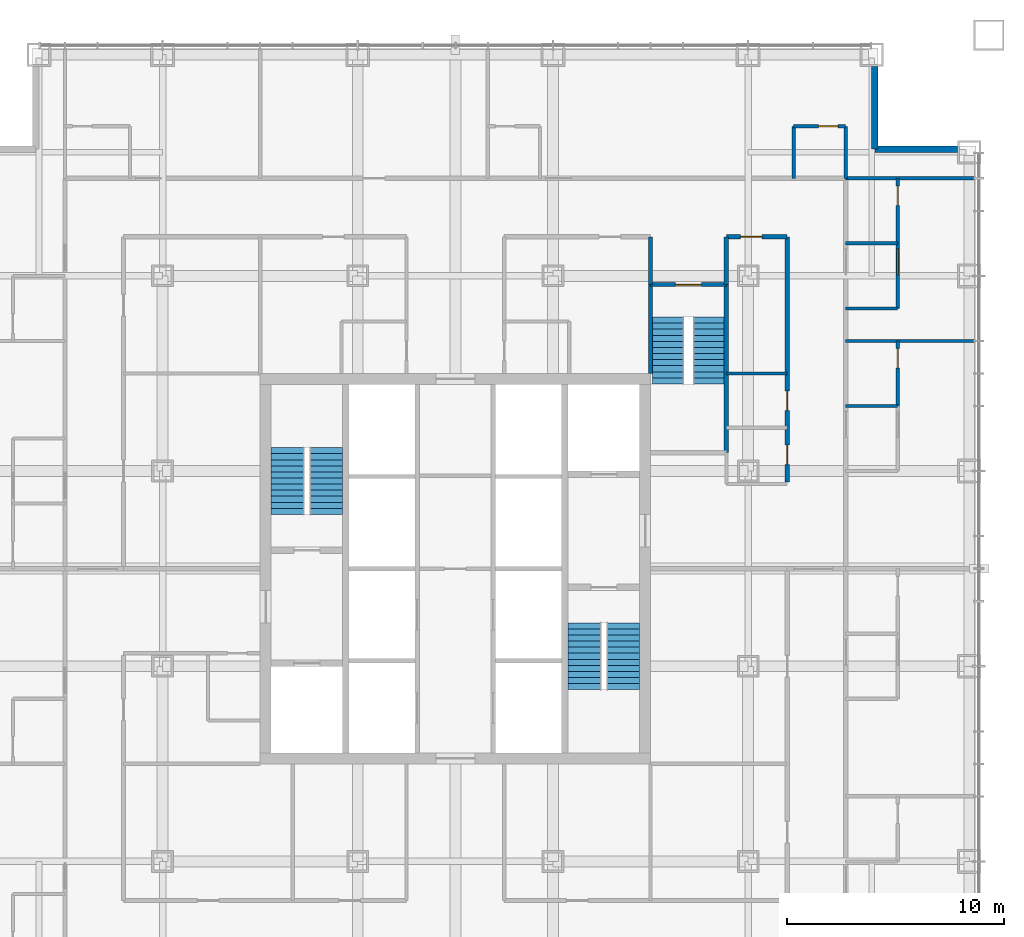
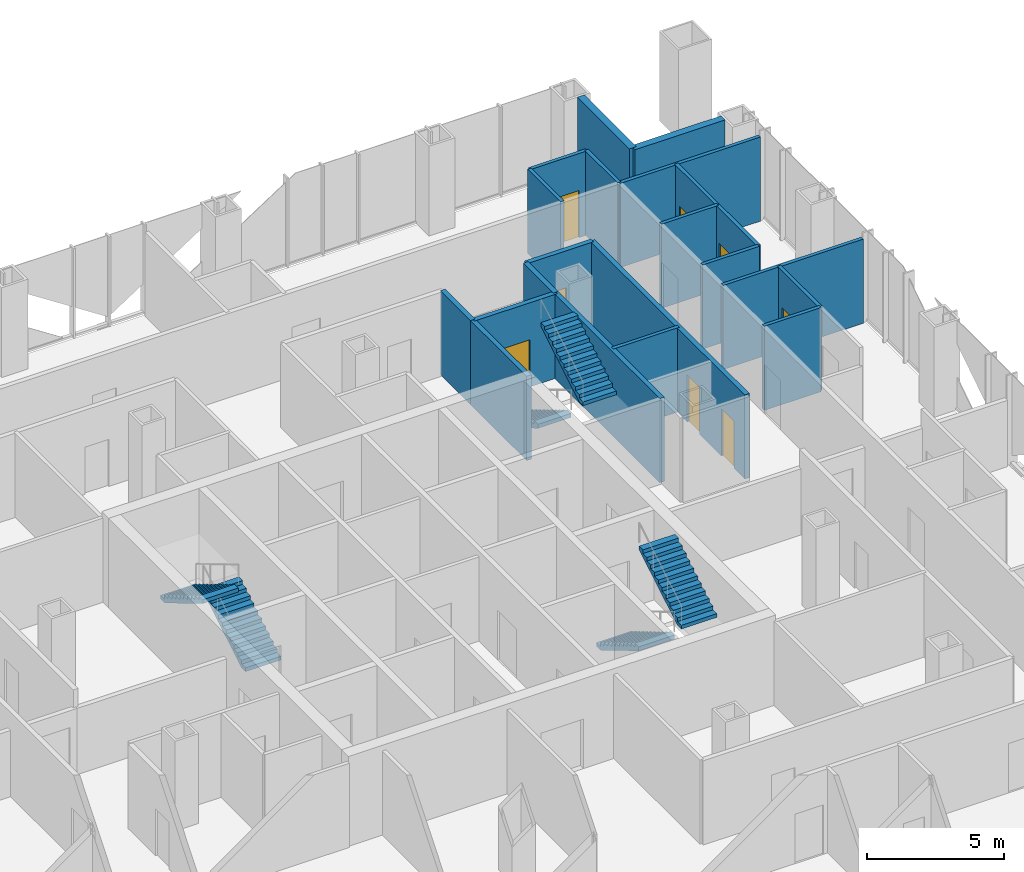
# One storey, part 12 of 13: 21 walls, 8 doors, 6 stair flights, 8 openings, 3 elements without a shape of their own.
"""IFC4 building model written with IfcOpenShell, lengths in metres."""

from ifc_helpers import new_model, si_unit, direction, frame, frame_2d, origin, place, context, subcontext, project, spatial, polyline, rectangle, outline, extrude, material, layer, layer_set, type_object, element, fill, aggregate, save


model = new_model("IFC4")

# Units and contexts
model_context = context("Model", 3, precision=1e-05, world=origin(), true_north=direction((0.0, 1.0)))
body_context = subcontext(model_context, "Body", "Model", "MODEL_VIEW")
ifc_project = project(units=[si_unit("LENGTHUNIT", "METRE"), si_unit("AREAUNIT", "SQUARE_METRE"), si_unit("VOLUMEUNIT", "CUBIC_METRE"), si_unit("PLANEANGLEUNIT", "RADIAN"), si_unit("MASSUNIT", "GRAM", prefix="KILO")], contexts=[model_context])

# Site, building, storey
site_placement = place(None, origin())
site = spatial("IfcSite", under=ifc_project, at=site_placement, CompositionType="ELEMENT")
building_placement = place(site_placement, origin())
building = spatial("IfcBuilding", under=site, at=building_placement, Name="Malebo Sky Hospital", CompositionType="ELEMENT")
storey_placement = place(building_placement, frame((0.0, 0.0, 156.0)))
storey = spatial("IfcBuildingStorey", under=building, at=storey_placement, Name="L37", CompositionType="ELEMENT", Elevation=156.0)

# Wall, opening, door
ifc_material_1 = material(Name="Gypsum board on steel studs", Category="steel")
ifc_layer_1 = layer(ifc_material_1, 0.199951171875)
ifc_layer_set_1 = layer_set([ifc_layer_1], Name="CORRIDOR WALL 200")
wall_type_1 = type_object("IfcWallType", Name="CORRIDOR WALL 200", PredefinedType="PARTITIONING", material=ifc_layer_set_1)
wall_1_placement = place(storey_placement, frame((72.5, 77.300048828125, 0.0), z_axis=(0.0, 0.0, 1.0), x_axis=(1.0, 0.0, 0.0)))
wall_1 = element("IfcWall", 1, at=wall_1_placement, inside=storey, type_object=wall_type_1, Name="Corridor Wall 200 NCI2/2", PredefinedType="PARTITIONING", context=body_context, shape_type="SweptSolid", body=[
    extrude(rectangle(XDim=2.800048828125, YDim=0.199951171875, at=frame_2d((1.39990234375, 0.0))), origin(), (0.0, 0.0, 1.0), 3.75),
])
opening_1_placement = place(wall_1_placement, frame((0.64990234375, 0.0, 0.0)))
opening_1 = element("IfcOpeningElement", 2, at=opening_1_placement, cuts=wall_1, Name="Opening D03", PredefinedType="OPENING", context=body_context, shape_type="SweptSolid", body=[
    extrude(rectangle(XDim=1.0, YDim=2.10009765625, at=frame_2d((0.5, 1.050048828125))), frame((0.0, 0.10986328125, 0.0), z_axis=(0.0, -1.0, 0.0), x_axis=(1.0, 0.0, 0.0)), (0.0, 0.0, 1.0), 0.219970703125),
])
ifc_material_2 = material(Name="Hardwood-faced door leaf in steel frame", Category="steel")
door_type_1 = type_object("IfcDoorType", Name="ROOM DOOR 1000", OperationType="SINGLE_SWING_LEFT", PredefinedType="DOOR", material=ifc_material_2)
door_1_placement = place(opening_1_placement, origin())
door_1 = element("IfcDoor", 3, at=door_1_placement, inside=storey, type_object=door_type_1, Name="Equipment store door", OperationType="SINGLE_SWING_LEFT", OverallHeight=2.10009765625, OverallWidth=1.0, PredefinedType="DOOR", context=body_context, shape_type="SweptSolid", body=[
    extrude(rectangle(XDim=1.0, YDim=2.10009765625, at=frame_2d((0.5, 1.050048828125))), frame((0.0, 0.02490234375, 0.0), z_axis=(0.0, -1.0, 0.0), x_axis=(1.0, 0.0, 0.0)), (0.0, 0.0, 1.0), 0.050048828125),
])
fill(opening_1, door_1)

# Wall, openings, doors
wall_2_placement = place(storey_placement, frame((75.300048828125, 77.300048828125, 0.0), z_axis=(0.0, 0.0, 1.0), x_axis=(0.0, -1.0, 0.0)))
wall_2 = element("IfcWall", 4, at=wall_2_placement, inside=storey, type_object=wall_type_1, Name="Corridor Wall 200 ECI1", PredefinedType="PARTITIONING", context=body_context, shape_type="SweptSolid", body=[
    extrude(rectangle(XDim=11.300048828125, YDim=0.199951171875, at=frame_2d((5.64990234375, 0.0))), origin(), (0.0, 0.0, 1.0), 3.75),
])
opening_2_placement = place(wall_2_placement, frame((7.10009765625, 0.0, 0.0)))
opening_2 = element("IfcOpeningElement", 5, at=opening_2_placement, cuts=wall_2, Name="Opening D04", PredefinedType="OPENING", context=body_context, shape_type="SweptSolid", body=[
    extrude(rectangle(XDim=0.89990234375, YDim=2.10009765625, at=frame_2d((0.449951171875, 1.050048828125))), frame((0.0, 0.10986328125, 0.0), z_axis=(0.0, -1.0, 0.0), x_axis=(1.0, 0.0, 0.0)), (0.0, 0.0, 1.0), 0.219970703125),
])
opening_3_placement = place(wall_2_placement, frame((9.60009765625, 0.0, 0.0)))
opening_3 = element("IfcOpeningElement", 6, at=opening_3_placement, cuts=wall_2, Name="Opening D04", PredefinedType="OPENING", context=body_context, shape_type="SweptSolid", body=[
    extrude(rectangle(XDim=0.89990234375, YDim=2.10009765625, at=frame_2d((0.449951171875, 1.050048828125))), frame((0.0, 0.10986328125, 0.0), z_axis=(0.0, -1.0, 0.0), x_axis=(1.0, 0.0, 0.0)), (0.0, 0.0, 1.0), 0.219970703125),
])
door_type_2 = type_object("IfcDoorType", Name="ROOM DOOR 900", OperationType="SINGLE_SWING_LEFT", PredefinedType="DOOR", material=ifc_material_2)
door_2_placement = place(opening_2_placement, origin())
door_2 = element("IfcDoor", 7, at=door_2_placement, inside=storey, type_object=door_type_2, Name="Medication room door", OperationType="SINGLE_SWING_LEFT", OverallHeight=2.10009765625, OverallWidth=0.89990234375, PredefinedType="DOOR", context=body_context, shape_type="SweptSolid", body=[
    extrude(rectangle(XDim=0.89990234375, YDim=2.10009765625, at=frame_2d((0.449951171875, 1.050048828125))), frame((0.0, 0.02490234375, 0.0), z_axis=(0.0, -1.0, 0.0), x_axis=(1.0, 0.0, 0.0)), (0.0, 0.0, 1.0), 0.050048828125),
])
fill(opening_2, door_2)
door_3_placement = place(opening_3_placement, origin())
door_3 = element("IfcDoor", 8, at=door_3_placement, inside=storey, type_object=door_type_2, Name="Linen store door", OperationType="SINGLE_SWING_LEFT", OverallHeight=2.10009765625, OverallWidth=0.89990234375, PredefinedType="DOOR", context=body_context, shape_type="SweptSolid", body=[
    extrude(rectangle(XDim=0.89990234375, YDim=2.10009765625, at=frame_2d((0.449951171875, 1.050048828125))), frame((0.0, 0.02490234375, 0.0), z_axis=(0.0, -1.0, 0.0), x_axis=(1.0, 0.0, 0.0)), (0.0, 0.0, 1.0), 0.050048828125),
])
fill(opening_3, door_3)

# Walls
for number, where, z_axis, x_axis, name in (
    (9, (69.0, 75.10009765625, 0.0), (0.0, 0.0, 1.0), (0.0, 1.0, 0.0), "Corridor Wall 200 ST3AW"),
    (10, (72.5, 75.10009765625, 0.0), (0.0, 0.0, 1.0), (0.0, 1.0, 0.0), "Corridor Wall 200 ST3AE"),
):
    element("IfcWall", number, at=place(storey_placement, frame(where, z_axis=z_axis, x_axis=x_axis)), inside=storey, type_object=wall_type_1, Name=name, PredefinedType="PARTITIONING", context=body_context, shape_type="SweptSolid", body=[
        extrude(rectangle(XDim=2.199951171875, YDim=0.199951171875, at=frame_2d((1.10009765625, 0.0))), origin(), (0.0, 0.0, 1.0), 3.75),
    ])
ifc_material_3 = material(Name="Anodised aluminium rainscreen on steel framing", Category="steel")
ifc_layer_2 = layer(ifc_material_3, 0.300048828125)
ifc_layer_set_2 = layer_set([ifc_layer_2], Name="NOTCH RAINSCREEN WALL 300")
wall_type_2 = type_object("IfcWallType", Name="NOTCH RAINSCREEN WALL 300", PredefinedType="ELEMENTEDWALL", material=ifc_layer_set_2)
for number, where, z_axis, x_axis, name in (
    (11, (79.35009765625, 85.14990234375, 0.0), (0.0, 0.0, 1.0), (0.0, -1.0, 0.0), "Notch rainscreen wall N1 L37"),
    (12, (79.35009765625, 81.35009765625, 0.0), (0.0, 0.0, 1.0), (1.0, 0.0, 0.0), "Notch rainscreen wall N2 L37"),
):
    element("IfcWall", number, at=place(storey_placement, frame(where, z_axis=z_axis, x_axis=x_axis)), inside=storey, type_object=wall_type_2, Name=name, PredefinedType="ELEMENTEDWALL", context=body_context, shape_type="SweptSolid", body=[
        extrude(rectangle(XDim=3.7998046875, YDim=0.300048828125, at=frame_2d((1.89990234375, 0.0))), origin(), (0.0, 0.0, 1.0), 4.0),
    ])

# Wall, opening, door
ifc_layer_3 = layer(ifc_material_1, 0.14990234375)
ifc_layer_set_3 = layer_set([ifc_layer_3], Name="PARTITION 150")
wall_type_3 = type_object("IfcWallType", Name="PARTITION 150", PredefinedType="PARTITIONING", material=ifc_layer_set_3)
wall_3_placement = place(storey_placement, frame((75.60009765625, 82.39990234375, 0.0), z_axis=(0.0, 0.0, 1.0), x_axis=(1.0, 0.0, 0.0)))
wall_3 = element("IfcWall", 13, at=wall_3_placement, inside=storey, type_object=wall_type_3, Name="Partition 150 NG2F", PredefinedType="PARTITIONING", context=body_context, shape_type="SweptSolid", body=[
    extrude(rectangle(XDim=2.39990234375, YDim=0.14990234375, at=frame_2d((1.199951171875, 0.0))), origin(), (0.0, 0.0, 1.0), 3.75),
])
opening_4_placement = place(wall_3_placement, frame((1.14990234375, 0.0, 0.0)))
opening_4 = element("IfcOpeningElement", 14, at=opening_4_placement, cuts=wall_3, Name="Opening D02", PredefinedType="OPENING", context=body_context, shape_type="SweptSolid", body=[
    extrude(rectangle(XDim=0.89990234375, YDim=2.10009765625, at=frame_2d((0.449951171875, 1.050048828125))), frame((0.0, 0.0849609375, 0.0), z_axis=(0.0, -1.0, 0.0), x_axis=(1.0, 0.0, 0.0)), (0.0, 0.0, 1.0), 0.169921875),
])
door_type_3 = type_object("IfcDoorType", Name="EN-SUITE DOOR 900", OperationType="SINGLE_SWING_LEFT", PredefinedType="DOOR", material=ifc_material_2)
door_4_placement = place(opening_4_placement, origin())
door_4 = element("IfcDoor", 15, at=door_4_placement, inside=storey, type_object=door_type_3, Name="En-suite door", OperationType="SINGLE_SWING_RIGHT", OverallHeight=2.10009765625, OverallWidth=0.89990234375, PredefinedType="DOOR", context=body_context, shape_type="SweptSolid", body=[
    extrude(rectangle(XDim=0.89990234375, YDim=2.10009765625, at=frame_2d((0.449951171875, 1.050048828125))), frame((0.0, 0.02490234375, 0.0), z_axis=(0.0, -1.0, 0.0), x_axis=(1.0, 0.0, 0.0)), (0.0, 0.0, 1.0), 0.050048828125),
])
fill(opening_4, door_4)

# Walls
for number, where, z_axis, x_axis, name in (
    (16, (75.60009765625, 80.0, 0.0), (0.0, 0.0, 1.0), (0.0, 1.0, 0.0), "Partition 150 NG2S"),
    (17, (78.0, 80.0, 0.0), (0.0, 0.0, 1.0), (0.0, 1.0, 0.0), "Partition 150 NEZ"),
):
    element("IfcWall", number, at=place(storey_placement, frame(where, z_axis=z_axis, x_axis=x_axis)), inside=storey, type_object=wall_type_3, Name=name, PredefinedType="PARTITIONING", context=body_context, shape_type="SweptSolid", body=[
        extrude(rectangle(XDim=2.39990234375, YDim=0.14990234375, at=frame_2d((1.199951171875, 0.0))), origin(), (0.0, 0.0, 1.0), 3.75),
    ])
for number, where, z_axis, x_axis, name in (
    (18, (78.0, 72.5, 0.0), (0.0, 0.0, 1.0), (1.0, 0.0, 0.0), "Partition 150 EP-10.5"),
    (19, (78.0, 80.0, 0.0), (0.0, 0.0, 1.0), (1.0, 0.0, 0.0), "Partition 150 EP0"),
):
    element("IfcWall", number, at=place(storey_placement, frame(where, z_axis=z_axis, x_axis=x_axis)), inside=storey, type_object=wall_type_3, Name=name, PredefinedType="PARTITIONING", context=body_context, shape_type="SweptSolid", body=[
        extrude(rectangle(XDim=5.909912109375, YDim=0.14990234375, at=frame_2d((2.955078125, 0.0))), origin(), (0.0, 0.0, 1.0), 3.75),
    ])

# Wall, opening, door
wall_4_placement = place(storey_placement, frame((80.39990234375, 80.0, 0.0), z_axis=(0.0, 0.0, 1.0), x_axis=(0.0, -1.0, 0.0)))
wall_4 = element("IfcWall", 20, at=wall_4_placement, inside=storey, type_object=wall_type_3, Name="Partition 150 EE0F", PredefinedType="PARTITIONING", context=body_context, shape_type="SweptSolid", body=[
    extrude(rectangle(XDim=3.0, YDim=0.14990234375, at=frame_2d((1.5, 0.0))), origin(), (0.0, 0.0, 1.0), 3.75),
])
opening_5_placement = place(wall_4_placement, frame((0.35009765625, 0.0, 0.0)))
opening_5 = element("IfcOpeningElement", 21, at=opening_5_placement, cuts=wall_4, Name="Opening D02", PredefinedType="OPENING", context=body_context, shape_type="SweptSolid", body=[
    extrude(rectangle(XDim=0.89990234375, YDim=2.10009765625, at=frame_2d((0.449951171875, 1.050048828125))), frame((0.0, 0.0849609375, 0.0), z_axis=(0.0, -1.0, 0.0), x_axis=(1.0, 0.0, 0.0)), (0.0, 0.0, 1.0), 0.169921875),
])
door_5_placement = place(opening_5_placement, origin())
door_5 = element("IfcDoor", 22, at=door_5_placement, inside=storey, type_object=door_type_3, Name="En-suite door", OperationType="SINGLE_SWING_LEFT", OverallHeight=2.10009765625, OverallWidth=0.89990234375, PredefinedType="DOOR", context=body_context, shape_type="SweptSolid", body=[
    extrude(rectangle(XDim=0.89990234375, YDim=2.10009765625, at=frame_2d((0.449951171875, 1.050048828125))), frame((0.0, 0.02490234375, 0.0), z_axis=(0.0, -1.0, 0.0), x_axis=(1.0, 0.0, 0.0)), (0.0, 0.0, 1.0), 0.050048828125),
])
fill(opening_5, door_5)

# Wall
wall_5_placement = place(storey_placement, frame((78.0, 77.0, 0.0), z_axis=(0.0, 0.0, 1.0), x_axis=(1.0, 0.0, 0.0)))
element("IfcWall", 23, at=wall_5_placement, inside=storey, type_object=wall_type_3, Name="Partition 150 EE0S", PredefinedType="PARTITIONING", context=body_context, shape_type="SweptSolid", body=[
    extrude(rectangle(XDim=2.39990234375, YDim=0.14990234375, at=frame_2d((1.199951171875, 0.0))), origin(), (0.0, 0.0, 1.0), 3.75),
])

# Wall, opening, door
wall_6_placement = place(storey_placement, frame((80.39990234375, 72.5, 0.0), z_axis=(0.0, 0.0, 1.0), x_axis=(0.0, -1.0, 0.0)))
wall_6 = element("IfcWall", 24, at=wall_6_placement, inside=storey, type_object=wall_type_3, Name="Partition 150 EE1F", PredefinedType="PARTITIONING", context=body_context, shape_type="SweptSolid", body=[
    extrude(rectangle(XDim=3.0, YDim=0.14990234375, at=frame_2d((1.5, 0.0))), origin(), (0.0, 0.0, 1.0), 3.75),
])
opening_6_placement = place(wall_6_placement, frame((0.35009765625, 0.0, 0.0)))
opening_6 = element("IfcOpeningElement", 25, at=opening_6_placement, cuts=wall_6, Name="Opening D02", PredefinedType="OPENING", context=body_context, shape_type="SweptSolid", body=[
    extrude(rectangle(XDim=0.89990234375, YDim=2.10009765625, at=frame_2d((0.449951171875, 1.050048828125))), frame((0.0, 0.0849609375, 0.0), z_axis=(0.0, -1.0, 0.0), x_axis=(1.0, 0.0, 0.0)), (0.0, 0.0, 1.0), 0.169921875),
])
door_6_placement = place(opening_6_placement, origin())
door_6 = element("IfcDoor", 26, at=door_6_placement, inside=storey, type_object=door_type_3, Name="En-suite door", OperationType="SINGLE_SWING_LEFT", OverallHeight=2.10009765625, OverallWidth=0.89990234375, PredefinedType="DOOR", context=body_context, shape_type="SweptSolid", body=[
    extrude(rectangle(XDim=0.89990234375, YDim=2.10009765625, at=frame_2d((0.449951171875, 1.050048828125))), frame((0.0, 0.02490234375, 0.0), z_axis=(0.0, -1.0, 0.0), x_axis=(1.0, 0.0, 0.0)), (0.0, 0.0, 1.0), 0.050048828125),
])
fill(opening_6, door_6)

# Walls
wall_7_placement = place(storey_placement, frame((78.0, 69.5, 0.0), z_axis=(0.0, 0.0, 1.0), x_axis=(1.0, 0.0, 0.0)))
element("IfcWall", 27, at=wall_7_placement, inside=storey, type_object=wall_type_3, Name="Partition 150 EE1S", PredefinedType="PARTITIONING", context=body_context, shape_type="SweptSolid", body=[
    extrude(rectangle(XDim=2.39990234375, YDim=0.14990234375, at=frame_2d((1.199951171875, 0.0))), origin(), (0.0, 0.0, 1.0), 3.75),
])
wall_8_placement = place(storey_placement, frame((72.5, 71.0, 0.0), z_axis=(0.0, 0.0, 1.0), x_axis=(1.0, 0.0, 0.0)))
element("IfcWall", 28, at=wall_8_placement, inside=storey, type_object=wall_type_3, Name="Partition 150 ESP0", PredefinedType="PARTITIONING", context=body_context, shape_type="SweptSolid", body=[
    extrude(rectangle(XDim=2.800048828125, YDim=0.14990234375, at=frame_2d((1.39990234375, 0.0))), origin(), (0.0, 0.0, 1.0), 3.75),
])

# Wall, opening, door
ifc_material_4 = material(Name="Sealed gypsum board on steel studs, taped to the slab", Category="steel")
ifc_layer_4 = layer(ifc_material_4, 0.14990234375)
ifc_layer_set_4 = layer_set([ifc_layer_4], Name="SEALED ISOLATION PARTITION 150")
wall_type_4 = type_object("IfcWallType", Name="SEALED ISOLATION PARTITION 150", PredefinedType="PARTITIONING", material=ifc_layer_set_4)
wall_9_placement = place(storey_placement, frame((80.39990234375, 77.0, 0.0), z_axis=(0.0, 0.0, 1.0), x_axis=(0.0, -1.0, 0.0)))
wall_9 = element("IfcWall", 29, at=wall_9_placement, inside=storey, type_object=wall_type_4, Name="Sealed Isolation Partition 150 EA0F", PredefinedType="PARTITIONING", context=body_context, shape_type="SweptSolid", body=[
    extrude(rectangle(XDim=3.0, YDim=0.14990234375, at=frame_2d((1.5, 0.0))), origin(), (0.0, 0.0, 1.0), 3.75),
])
opening_7_placement = place(wall_9_placement, frame((0.25, 0.0, 0.0)))
opening_7 = element("IfcOpeningElement", 30, at=opening_7_placement, cuts=wall_9, Name="Opening D19", PredefinedType="OPENING", context=body_context, shape_type="SweptSolid", body=[
    extrude(rectangle(XDim=1.199951171875, YDim=2.199951171875, at=frame_2d((0.60009765625, 1.10009765625))), frame((0.0, 0.0849609375, 0.0), z_axis=(0.0, -1.0, 0.0), x_axis=(1.0, 0.0, 0.0)), (0.0, 0.0, 1.0), 0.169921875),
])
ifc_material_5 = material(Name="Hardwood-faced door leaf with perimeter seals in steel frame", Category="steel")
door_type_4 = type_object("IfcDoorType", Name="SEALED ISOLATION ROOM DOOR 1200", OperationType="SINGLE_SWING_LEFT", PredefinedType="DOOR", material=ifc_material_5)
door_7_placement = place(opening_7_placement, origin())
door_7 = element("IfcDoor", 31, at=door_7_placement, inside=storey, type_object=door_type_4, Name="Isolation room door", OperationType="SINGLE_SWING_LEFT", OverallHeight=2.199951171875, OverallWidth=1.199951171875, PredefinedType="DOOR", context=body_context, shape_type="SweptSolid", body=[
    extrude(rectangle(XDim=1.199951171875, YDim=2.199951171875, at=frame_2d((0.60009765625, 1.10009765625))), frame((0.0, 0.02490234375, 0.0), z_axis=(0.0, -1.0, 0.0), x_axis=(1.0, 0.0, 0.0)), (0.0, 0.0, 1.0), 0.050048828125),
])
fill(opening_7, door_7)

# Walls
wall_10_placement = place(storey_placement, frame((78.0, 74.0, 0.0), z_axis=(0.0, 0.0, 1.0), x_axis=(1.0, 0.0, 0.0)))
element("IfcWall", 32, at=wall_10_placement, inside=storey, type_object=wall_type_4, Name="Sealed Isolation Partition 150 EA0S", PredefinedType="PARTITIONING", context=body_context, shape_type="SweptSolid", body=[
    extrude(rectangle(XDim=2.39990234375, YDim=0.14990234375, at=frame_2d((1.199951171875, 0.0))), origin(), (0.0, 0.0, 1.0), 3.75),
])
ifc_material_6 = material(Name="Concrete C40/50", Category="concrete")
ifc_layer_5 = layer(ifc_material_6, 0.199951171875)
ifc_layer_set_5 = layer_set([ifc_layer_5], Name="STAIR ENCLOSURE WALL 200")
wall_type_5 = type_object("IfcWallType", Name="STAIR ENCLOSURE WALL 200", PredefinedType="SOLIDWALL", material=ifc_layer_set_5)
wall_11_placement = place(storey_placement, frame((69.0, 71.0, 0.0), z_axis=(0.0, 0.0, 1.0), x_axis=(0.0, 1.0, 0.0)))
element("IfcWall", 33, at=wall_11_placement, inside=storey, type_object=wall_type_5, Name="Stair Enclosure Wall 200 ST3W", PredefinedType="SOLIDWALL", context=body_context, shape_type="SweptSolid", body=[
    extrude(rectangle(XDim=4.10009765625, YDim=0.199951171875, at=frame_2d((2.050048828125, 0.0))), origin(), (0.0, 0.0, 1.0), 3.75),
])
wall_12_placement = place(storey_placement, frame((72.5, 67.35009765625, 0.0), z_axis=(0.0, 0.0, 1.0), x_axis=(0.0, 1.0, 0.0)))
element("IfcWall", 34, at=wall_12_placement, inside=storey, type_object=wall_type_5, Name="Stair Enclosure Wall 200 ST3E", PredefinedType="SOLIDWALL", context=body_context, shape_type="SweptSolid", body=[
    extrude(rectangle(XDim=7.75, YDim=0.199951171875, at=frame_2d((3.875, 0.0))), origin(), (0.0, 0.0, 1.0), 3.75),
])

# Wall, opening, door
wall_13_placement = place(storey_placement, frame((69.0, 75.10009765625, 0.0), z_axis=(0.0, 0.0, 1.0), x_axis=(1.0, 0.0, 0.0)))
wall_13 = element("IfcWall", 35, at=wall_13_placement, inside=storey, type_object=wall_type_5, Name="Stair Enclosure Wall 200 ST3N", PredefinedType="SOLIDWALL", context=body_context, shape_type="SweptSolid", body=[
    extrude(rectangle(XDim=3.5, YDim=0.199951171875, at=frame_2d((1.75, 0.0))), origin(), (0.0, 0.0, 1.0), 3.75),
])
opening_8_placement = place(wall_13_placement, frame((1.14990234375, 0.0, 0.0)))
opening_8 = element("IfcOpeningElement", 36, at=opening_8_placement, cuts=wall_13, Name="Opening D08", PredefinedType="OPENING", context=body_context, shape_type="SweptSolid", body=[
    extrude(rectangle(XDim=1.199951171875, YDim=2.10009765625, at=frame_2d((0.60009765625, 1.050048828125))), frame((0.0, 0.10986328125, 0.0), z_axis=(0.0, -1.0, 0.0), x_axis=(1.0, 0.0, 0.0)), (0.0, 0.0, 1.0), 0.219970703125),
])
door_type_5 = type_object("IfcDoorType", Name="STAIR DOOR 1200", OperationType="SINGLE_SWING_LEFT", PredefinedType="DOOR", material=ifc_material_2)
door_8_placement = place(opening_8_placement, origin())
door_8 = element("IfcDoor", 37, at=door_8_placement, inside=storey, type_object=door_type_5, Name="Stair S3 door", OperationType="SINGLE_SWING_LEFT", OverallHeight=2.10009765625, OverallWidth=1.199951171875, PredefinedType="DOOR", context=body_context, shape_type="SweptSolid", body=[
    extrude(rectangle(XDim=1.199951171875, YDim=2.10009765625, at=frame_2d((0.60009765625, 1.050048828125))), frame((0.0, 0.02490234375, 0.0), z_axis=(0.0, -1.0, 0.0), x_axis=(1.0, 0.0, 0.0)), (0.0, 0.0, 1.0), 0.050048828125),
])
fill(opening_8, door_8)

# Stair, stair flights
stair_type_1 = type_object("IfcStairType", Name="HALF-TURN STAIR 1400 R167", PredefinedType="HALF_TURN_STAIR", material=ifc_material_6)
stair_1_placement = place(storey_placement, origin())
stair_1 = element("IfcStair", 38, at=stair_1_placement, inside=storey, type_object=stair_type_1, Name="Stair S3 L37 type ST1B", PredefinedType="HALF_TURN_STAIR")
stair_flight_type_1 = type_object("IfcStairFlightType", Name="STAIR FLIGHT 1400 R167", PredefinedType="STRAIGHT", material=ifc_material_6)
stair_flight_1_placement = place(storey_placement, frame((69.800048828125, 73.60009765625, 0.0), z_axis=(0.0, 0.0, 1.0), x_axis=(0.0, -1.0, 0.0)))
stair_flight_1 = element("IfcStairFlight", 39, at=stair_flight_1_placement, type_object=stair_flight_type_1, Name="S3 flight 1 type SF1B", NumberOfRisers=12, NumberOfTreads=11, PredefinedType="STRAIGHT", RiserHeight=0.166666667, TreadLength=0.28, context=body_context, shape_type="SweptSolid", body=[
    extrude(outline(polyline([(0.0, 0.0), (0.0, 0.166748046875), (0.280029296875, 0.166748046875), (0.280029296875, 0.333251953125), (0.56005859375, 0.333251953125), (0.56005859375, 0.5), (0.840087890625, 0.5), (0.840087890625, 0.666748046875), (1.1201171875, 0.666748046875), (1.1201171875, 0.833251953125), (1.39990234375, 0.833251953125), (1.39990234375, 1.0), (1.679931640625, 1.0), (1.679931640625, 1.166748046875), (1.9599609375, 1.166748046875), (1.9599609375, 1.333251953125), (2.239990234375, 1.333251953125), (2.239990234375, 1.5), (2.52001953125, 1.5), (2.52001953125, 1.666748046875), (2.800048828125, 1.666748046875), (2.800048828125, 1.833251953125), (3.080078125, 1.833251953125), (3.080078125, 2.0), (3.080078125, 1.658935546875), (0.29296875, 0.0), (0.0, 0.0)])), frame((0.0, 0.699951171875, 0.0), z_axis=(0.0, -1.0, 0.0), x_axis=(1.0, 0.0, 0.0)), (0.0, 0.0, 1.0), 1.39990234375),
])
stair_flight_2_placement = place(storey_placement, frame((71.699951171875, 70.52001953125, 2.0), z_axis=(0.0, 0.0, 1.0), x_axis=(0.0, 1.0, 0.0)))
stair_flight_2 = element("IfcStairFlight", 40, at=stair_flight_2_placement, type_object=stair_flight_type_1, Name="S3 flight 2 type SF1B", NumberOfRisers=12, NumberOfTreads=11, PredefinedType="STRAIGHT", RiserHeight=0.166666667, TreadLength=0.28, context=body_context, shape_type="SweptSolid", body=[
    extrude(outline(polyline([(0.0, 0.0), (0.0, 0.166748046875), (0.280029296875, 0.166748046875), (0.280029296875, 0.333251953125), (0.56005859375, 0.333251953125), (0.56005859375, 0.5), (0.840087890625, 0.5), (0.840087890625, 0.666748046875), (1.1201171875, 0.666748046875), (1.1201171875, 0.833251953125), (1.39990234375, 0.833251953125), (1.39990234375, 1.0), (1.679931640625, 1.0), (1.679931640625, 1.166748046875), (1.9599609375, 1.166748046875), (1.9599609375, 1.333251953125), (2.239990234375, 1.333251953125), (2.239990234375, 1.5), (2.52001953125, 1.5), (2.52001953125, 1.666748046875), (2.800048828125, 1.666748046875), (2.800048828125, 1.833251953125), (3.080078125, 1.833251953125), (3.080078125, 2.0), (3.080078125, 1.658935546875), (0.29296875, 0.0), (0.0, 0.0)])), frame((0.0, 0.699951171875, 0.0), z_axis=(0.0, -1.0, 0.0), x_axis=(1.0, 0.0, 0.0)), (0.0, 0.0, 1.0), 1.39990234375),
])
aggregate(stair_1, [stair_flight_1, stair_flight_2])

stair_type_2 = type_object("IfcStairType", Name="HALF-TURN STAIR 1500 R167", PredefinedType="HALF_TURN_STAIR", material=ifc_material_6)
stair_2_placement = place(storey_placement, origin())
stair_2 = element("IfcStair", 41, at=stair_2_placement, inside=storey, type_object=stair_type_2, Name="Stair S1 L37 type ST1", PredefinedType="HALF_TURN_STAIR")
stair_flight_type_2 = type_object("IfcStairFlightType", Name="STAIR FLIGHT 1500 R167", PredefinedType="STRAIGHT", material=ifc_material_6)
stair_flight_3_placement = place(storey_placement, frame((54.050048828125, 64.5, 0.0), z_axis=(0.0, 0.0, 1.0), x_axis=(0.0, 1.0, 0.0)))
stair_flight_3 = element("IfcStairFlight", 42, at=stair_flight_3_placement, type_object=stair_flight_type_2, Name="S1 flight 1 type SF1", NumberOfRisers=12, NumberOfTreads=11, PredefinedType="STRAIGHT", RiserHeight=0.166666667, TreadLength=0.28, context=body_context, shape_type="SweptSolid", body=[
    extrude(outline(polyline([(0.0, 0.0), (0.0, 0.166748046875), (0.280029296875, 0.166748046875), (0.280029296875, 0.333251953125), (0.56005859375, 0.333251953125), (0.56005859375, 0.5), (0.840087890625, 0.5), (0.840087890625, 0.666748046875), (1.1201171875, 0.666748046875), (1.1201171875, 0.833251953125), (1.39990234375, 0.833251953125), (1.39990234375, 1.0), (1.679931640625, 1.0), (1.679931640625, 1.166748046875), (1.9599609375, 1.166748046875), (1.9599609375, 1.333251953125), (2.239990234375, 1.333251953125), (2.239990234375, 1.5), (2.52001953125, 1.5), (2.52001953125, 1.666748046875), (2.800048828125, 1.666748046875), (2.800048828125, 1.833251953125), (3.080078125, 1.833251953125), (3.080078125, 2.0), (3.080078125, 1.658935546875), (0.29296875, 0.0), (0.0, 0.0)])), frame((0.0, 0.75, 0.0), z_axis=(0.0, -1.0, 0.0), x_axis=(1.0, 0.0, 0.0)), (0.0, 0.0, 1.0), 1.5),
])
stair_flight_4_placement = place(storey_placement, frame((52.25, 67.580078125, 2.0), z_axis=(0.0, 0.0, 1.0), x_axis=(0.0, -1.0, 0.0)))
stair_flight_4 = element("IfcStairFlight", 43, at=stair_flight_4_placement, type_object=stair_flight_type_2, Name="S1 flight 2 type SF1", NumberOfRisers=12, NumberOfTreads=11, PredefinedType="STRAIGHT", RiserHeight=0.166666667, TreadLength=0.28, context=body_context, shape_type="SweptSolid", body=[
    extrude(outline(polyline([(0.0, 0.0), (0.0, 0.166748046875), (0.280029296875, 0.166748046875), (0.280029296875, 0.333251953125), (0.56005859375, 0.333251953125), (0.56005859375, 0.5), (0.840087890625, 0.5), (0.840087890625, 0.666748046875), (1.1201171875, 0.666748046875), (1.1201171875, 0.833251953125), (1.39990234375, 0.833251953125), (1.39990234375, 1.0), (1.679931640625, 1.0), (1.679931640625, 1.166748046875), (1.9599609375, 1.166748046875), (1.9599609375, 1.333251953125), (2.239990234375, 1.333251953125), (2.239990234375, 1.5), (2.52001953125, 1.5), (2.52001953125, 1.666748046875), (2.800048828125, 1.666748046875), (2.800048828125, 1.833251953125), (3.080078125, 1.833251953125), (3.080078125, 2.0), (3.080078125, 1.658935546875), (0.29296875, 0.0), (0.0, 0.0)])), frame((0.0, 0.75, 0.0), z_axis=(0.0, -1.0, 0.0), x_axis=(1.0, 0.0, 0.0)), (0.0, 0.0, 1.0), 1.5),
])
aggregate(stair_2, [stair_flight_3, stair_flight_4])

stair_3_placement = place(storey_placement, origin())
stair_3 = element("IfcStair", 44, at=stair_3_placement, inside=storey, type_object=stair_type_2, Name="Stair S2 L37 type ST1", PredefinedType="HALF_TURN_STAIR")
stair_flight_5_placement = place(storey_placement, frame((65.949951171875, 59.5, 0.0), z_axis=(0.0, 0.0, 1.0), x_axis=(0.0, -1.0, 0.0)))
stair_flight_5 = element("IfcStairFlight", 45, at=stair_flight_5_placement, type_object=stair_flight_type_2, Name="S2 flight 1 type SF1", NumberOfRisers=12, NumberOfTreads=11, PredefinedType="STRAIGHT", RiserHeight=0.166666667, TreadLength=0.28, context=body_context, shape_type="SweptSolid", body=[
    extrude(outline(polyline([(0.0, 0.0), (0.0, 0.166748046875), (0.280029296875, 0.166748046875), (0.280029296875, 0.333251953125), (0.56005859375, 0.333251953125), (0.56005859375, 0.5), (0.840087890625, 0.5), (0.840087890625, 0.666748046875), (1.1201171875, 0.666748046875), (1.1201171875, 0.833251953125), (1.39990234375, 0.833251953125), (1.39990234375, 1.0), (1.679931640625, 1.0), (1.679931640625, 1.166748046875), (1.9599609375, 1.166748046875), (1.9599609375, 1.333251953125), (2.239990234375, 1.333251953125), (2.239990234375, 1.5), (2.52001953125, 1.5), (2.52001953125, 1.666748046875), (2.800048828125, 1.666748046875), (2.800048828125, 1.833251953125), (3.080078125, 1.833251953125), (3.080078125, 2.0), (3.080078125, 1.658935546875), (0.29296875, 0.0), (0.0, 0.0)])), frame((0.0, 0.75, 0.0), z_axis=(0.0, -1.0, 0.0), x_axis=(1.0, 0.0, 0.0)), (0.0, 0.0, 1.0), 1.5),
])
stair_flight_6_placement = place(storey_placement, frame((67.75, 56.419921875, 2.0), z_axis=(0.0, 0.0, 1.0), x_axis=(0.0, 1.0, 0.0)))
stair_flight_6 = element("IfcStairFlight", 46, at=stair_flight_6_placement, type_object=stair_flight_type_2, Name="S2 flight 2 type SF1", NumberOfRisers=12, NumberOfTreads=11, PredefinedType="STRAIGHT", RiserHeight=0.166666667, TreadLength=0.28, context=body_context, shape_type="SweptSolid", body=[
    extrude(outline(polyline([(0.0, 0.0), (0.0, 0.166748046875), (0.280029296875, 0.166748046875), (0.280029296875, 0.333251953125), (0.56005859375, 0.333251953125), (0.56005859375, 0.5), (0.840087890625, 0.5), (0.840087890625, 0.666748046875), (1.1201171875, 0.666748046875), (1.1201171875, 0.833251953125), (1.39990234375, 0.833251953125), (1.39990234375, 1.0), (1.679931640625, 1.0), (1.679931640625, 1.166748046875), (1.9599609375, 1.166748046875), (1.9599609375, 1.333251953125), (2.239990234375, 1.333251953125), (2.239990234375, 1.5), (2.52001953125, 1.5), (2.52001953125, 1.666748046875), (2.800048828125, 1.666748046875), (2.800048828125, 1.833251953125), (3.080078125, 1.833251953125), (3.080078125, 2.0), (3.080078125, 1.658935546875), (0.29296875, 0.0), (0.0, 0.0)])), frame((0.0, 0.75, 0.0), z_axis=(0.0, -1.0, 0.0), x_axis=(1.0, 0.0, 0.0)), (0.0, 0.0, 1.0), 1.5),
])
aggregate(stair_3, [stair_flight_5, stair_flight_6])

save(model, "model.ifc")
